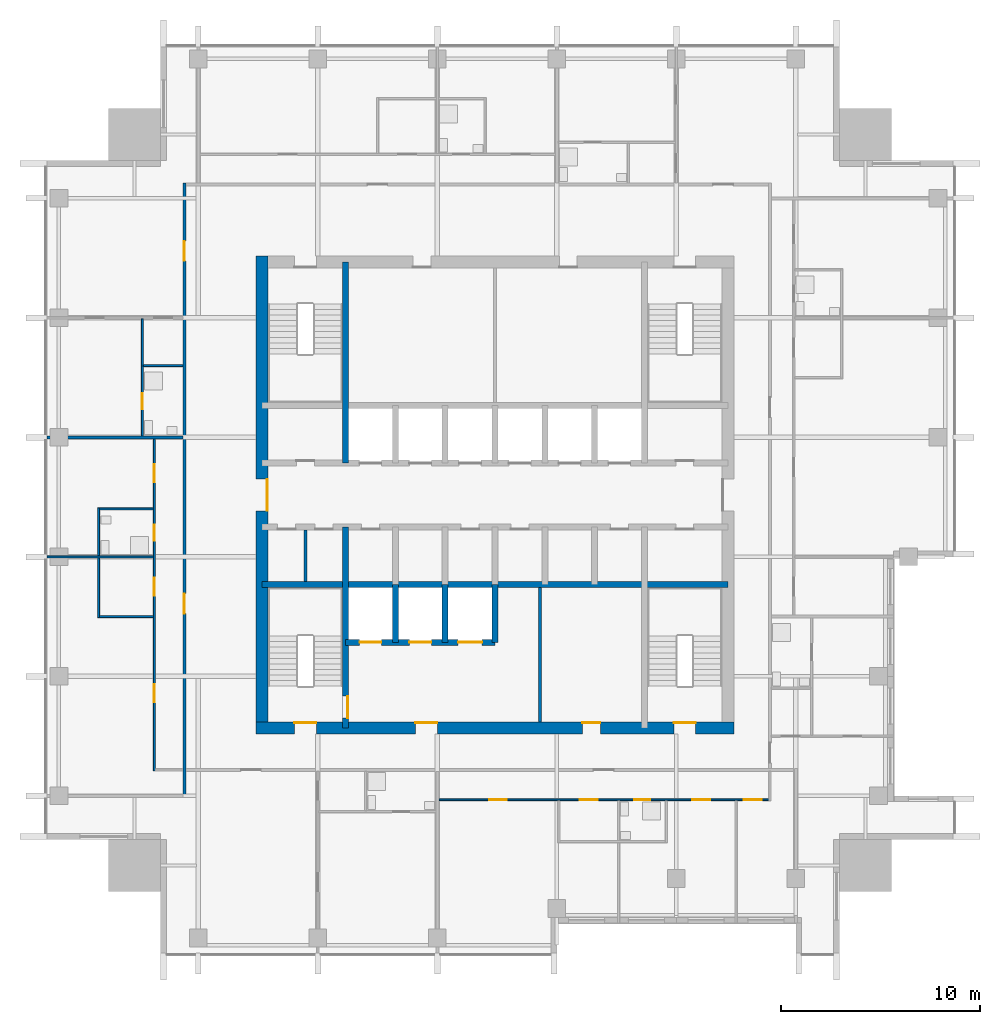
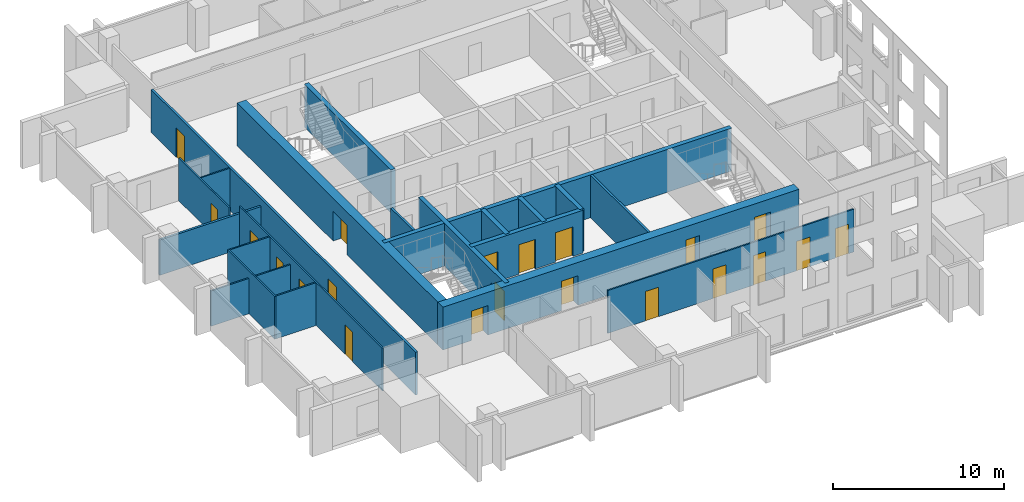
# One storey, part 4 of 10: 21 doors, 21 walls, 21 openings.
"""IFC4 building model written with IfcOpenShell, lengths in metres."""

from ifc_helpers import new_model, si_unit, direction, frame, frame_2d, origin, place, context, subcontext, project, spatial, rectangle, extrude, material, layer, layer_set, type_object, element, fill, save


model = new_model("IFC4")

# Units and contexts
model_context = context("Model", 3, precision=1e-05, world=origin(), true_north=direction((0.0, 1.0)))
body_context = subcontext(model_context, "Body", "Model", "MODEL_VIEW")
ifc_project = project(units=[si_unit("LENGTHUNIT", "METRE"), si_unit("AREAUNIT", "SQUARE_METRE"), si_unit("VOLUMEUNIT", "CUBIC_METRE"), si_unit("PLANEANGLEUNIT", "RADIAN"), si_unit("MASSUNIT", "GRAM", prefix="KILO")], contexts=[model_context])

# Site, building, storey
site_placement = place(None, origin())
site = spatial("IfcSite", under=ifc_project, at=site_placement, CompositionType="ELEMENT")
building_placement = place(site_placement, origin())
building = spatial("IfcBuilding", under=site, at=building_placement, Name="Amberfall Residences", CompositionType="ELEMENT")
storey_placement = place(building_placement, frame((0.0, 0.0, 206.800048828125)))
storey = spatial("IfcBuildingStorey", under=building, at=storey_placement, Name="L55", CompositionType="ELEMENT", Elevation=206.800048828125)

# Wall
ifc_material_1 = material(Name="Concrete C55", Category="concrete")
ifc_layer_1 = layer(ifc_material_1, 0.300048828125)
ifc_layer_set_1 = layer_set([ifc_layer_1], Name="Core wall 300 C55")
wall_type_1 = type_object("IfcWallType", Name="Core wall 300 C55", PredefinedType="SHEAR", material=ifc_layer_set_1)
wall_1_placement = place(storey_placement, frame((62.800048828125, 41.0, 0.0), z_axis=(0.0, 0.0, 1.0), x_axis=(1.0, 0.0, 0.0)))
element("IfcWall", 1, at=wall_1_placement, inside=storey, type_object=wall_type_1, Name="Core wall RW8 L55 H75", PredefinedType="SHEAR", context=body_context, shape_type="SweptSolid", body=[
    extrude(rectangle(XDim=23.39990234375, YDim=0.300048828125, at=frame_2d((11.699951171875, 0.0))), origin(), (0.0, 0.0, 1.0), 3.050048828125),
])

# Wall, opening, door
wall_2_placement = place(storey_placement, frame((67.0, 33.800048828125, 0.0), z_axis=(0.0, 0.0, 1.0), x_axis=(0.0, 1.0, 0.0)))
wall_2 = element("IfcWall", 2, at=wall_2_placement, inside=storey, type_object=wall_type_1, Name="Core wall RW8 L55 V45S", PredefinedType="SHEAR", context=body_context, shape_type="SweptSolid", body=[
    extrude(rectangle(XDim=10.099853515625, YDim=0.300048828125, at=frame_2d((5.0498046875, 0.0))), origin(), (0.0, 0.0, 1.0), 3.050048828125),
])
opening_1_placement = place(wall_2_placement, frame((0.5, 0.0, 0.0)))
opening_1 = element("IfcOpeningElement", 3, at=opening_1_placement, cuts=wall_2, Name="Opening FL1", PredefinedType="OPENING", context=body_context, shape_type="SweptSolid", body=[
    extrude(rectangle(XDim=1.10009765625, YDim=2.10009765625, at=frame_2d((0.550048828125, 1.050048828125))), frame((0.0, 0.159912109375, 0.0), z_axis=(0.0, -1.0, 0.0), x_axis=(1.0, 0.0, 0.0)), (0.0, 0.0, 1.0), 0.320068359375),
])
ifc_material_2 = material(Name="Steel fire door set", Category="steel")
door_type_1 = type_object("IfcDoorType", Name="Firefighting lobby door 1100 x 2100", OperationType="SINGLE_SWING_LEFT", PredefinedType="DOOR", material=ifc_material_2)
door_1_placement = place(opening_1_placement, origin())
door_1 = element("IfcDoor", 4, at=door_1_placement, inside=storey, type_object=door_type_1, Name="FL1 L55", OperationType="SINGLE_SWING_RIGHT", OverallHeight=2.10009765625, OverallWidth=1.10009765625, PredefinedType="DOOR", context=body_context, shape_type="SweptSolid", body=[
    extrude(rectangle(XDim=1.10009765625, YDim=2.10009765625, at=frame_2d((0.550048828125, 1.050048828125))), frame((0.0, -0.08740234375, 0.0), z_axis=(0.0, -1.0, 0.0), x_axis=(1.0, 0.0, 0.0)), (0.0, 0.0, 1.0), 0.050048828125),
])
fill(opening_1, door_1)

# Wall
wall_3_placement = place(storey_placement, frame((67.0, 47.10009765625, 0.0), z_axis=(0.0, 0.0, 1.0), x_axis=(0.0, 1.0, 0.0)))
element("IfcWall", 5, at=wall_3_placement, inside=storey, type_object=wall_type_1, Name="Core wall RW8 L55 V45N", PredefinedType="SHEAR", context=body_context, shape_type="SweptSolid", body=[
    extrude(rectangle(XDim=10.099853515625, YDim=0.300048828125, at=frame_2d((5.0498046875, 0.0))), origin(), (0.0, 0.0, 1.0), 3.050048828125),
])

# Wall, openings, doors
wall_4_placement = place(storey_placement, frame((67.0, 38.10009765625, 0.0), z_axis=(0.0, 0.0, 1.0), x_axis=(1.0, 0.0, 0.0)))
wall_4 = element("IfcWall", 6, at=wall_4_placement, inside=storey, type_object=wall_type_1, Name="Core wall RW8 L55 FFF", PredefinedType="SHEAR", context=body_context, shape_type="SweptSolid", body=[
    extrude(rectangle(XDim=7.5, YDim=0.300048828125, at=frame_2d((3.75, 0.0))), origin(), (0.0, 0.0, 1.0), 3.050048828125),
])
opening_2_placement = place(wall_4_placement, frame((0.699951171875, 0.0, 0.0)))
opening_2 = element("IfcOpeningElement", 7, at=opening_2_placement, cuts=wall_4, Name="Opening LD2", PredefinedType="OPENING", context=body_context, shape_type="SweptSolid", body=[
    extrude(rectangle(XDim=1.10009765625, YDim=2.10009765625, at=frame_2d((0.550048828125, 1.050048828125))), frame((0.0, 0.159912109375, 0.0), z_axis=(0.0, -1.0, 0.0), x_axis=(1.0, 0.0, 0.0)), (0.0, 0.0, 1.0), 0.320068359375),
])
opening_3_placement = place(wall_4_placement, frame((3.199951171875, 0.0, 0.0)))
opening_3 = element("IfcOpeningElement", 8, at=opening_3_placement, cuts=wall_4, Name="Opening LD2", PredefinedType="OPENING", context=body_context, shape_type="SweptSolid", body=[
    extrude(rectangle(XDim=1.10009765625, YDim=2.10009765625, at=frame_2d((0.550048828125, 1.050048828125))), frame((0.0, 0.159912109375, 0.0), z_axis=(0.0, -1.0, 0.0), x_axis=(1.0, 0.0, 0.0)), (0.0, 0.0, 1.0), 0.320068359375),
])
opening_4_placement = place(wall_4_placement, frame((5.64990234375, 0.0, 0.0)))
opening_4 = element("IfcOpeningElement", 9, at=opening_4_placement, cuts=wall_4, Name="Opening LD3", PredefinedType="OPENING", context=body_context, shape_type="SweptSolid", body=[
    extrude(rectangle(XDim=1.199951171875, YDim=2.10009765625, at=frame_2d((0.60009765625, 1.050048828125))), frame((0.0, 0.159912109375, 0.0), z_axis=(0.0, -1.0, 0.0), x_axis=(1.0, 0.0, 0.0)), (0.0, 0.0, 1.0), 0.320068359375),
])
door_type_2 = type_object("IfcDoorType", Name="Firefighting lift landing door 1100 x 2100", OperationType="DOUBLE_DOOR_SLIDING", PredefinedType="DOOR", material=ifc_material_2)
door_2_placement = place(opening_2_placement, origin())
door_2 = element("IfcDoor", 10, at=door_2_placement, inside=storey, type_object=door_type_2, Name="Landing door FF1 L55", OperationType="DOUBLE_DOOR_SLIDING", OverallHeight=2.10009765625, OverallWidth=1.10009765625, PredefinedType="DOOR", context=body_context, shape_type="SweptSolid", body=[
    extrude(rectangle(XDim=1.10009765625, YDim=2.10009765625, at=frame_2d((0.550048828125, 1.050048828125))), frame((0.0, 0.02490234375, 0.0), z_axis=(0.0, -1.0, 0.0), x_axis=(1.0, 0.0, 0.0)), (0.0, 0.0, 1.0), 0.050048828125),
])
fill(opening_2, door_2)
door_3_placement = place(opening_3_placement, origin())
door_3 = element("IfcDoor", 11, at=door_3_placement, inside=storey, type_object=door_type_2, Name="Landing door FF2 L55", OperationType="DOUBLE_DOOR_SLIDING", OverallHeight=2.10009765625, OverallWidth=1.10009765625, PredefinedType="DOOR", context=body_context, shape_type="SweptSolid", body=[
    extrude(rectangle(XDim=1.10009765625, YDim=2.10009765625, at=frame_2d((0.550048828125, 1.050048828125))), frame((0.0, 0.02490234375, 0.0), z_axis=(0.0, -1.0, 0.0), x_axis=(1.0, 0.0, 0.0)), (0.0, 0.0, 1.0), 0.050048828125),
])
fill(opening_3, door_3)
door_type_3 = type_object("IfcDoorType", Name="Service lift landing door 1200 x 2100", OperationType="DOUBLE_DOOR_SLIDING", PredefinedType="DOOR", material=ifc_material_2)
door_4_placement = place(opening_4_placement, origin())
door_4 = element("IfcDoor", 12, at=door_4_placement, inside=storey, type_object=door_type_3, Name="Landing door SL1 L55", OperationType="DOUBLE_DOOR_SLIDING", OverallHeight=2.10009765625, OverallWidth=1.199951171875, PredefinedType="DOOR", context=body_context, shape_type="SweptSolid", body=[
    extrude(rectangle(XDim=1.199951171875, YDim=2.10009765625, at=frame_2d((0.60009765625, 1.050048828125))), frame((0.0, 0.02490234375, 0.0), z_axis=(0.0, -1.0, 0.0), x_axis=(1.0, 0.0, 0.0)), (0.0, 0.0, 1.0), 0.050048828125),
])
fill(opening_4, door_4)

# Walls
for number, where, z_axis, x_axis, name in (
    (13, (69.5, 38.10009765625, 0.0), (0.0, 0.0, 1.0), (0.0, 1.0, 0.0), "Core wall RW8 L55 FFD1"),
    (14, (72.0, 38.10009765625, 0.0), (0.0, 0.0, 1.0), (0.0, 1.0, 0.0), "Core wall RW8 L55 FFD2"),
    (15, (74.5, 38.10009765625, 0.0), (0.0, 0.0, 1.0), (0.0, 1.0, 0.0), "Core wall RW8 L55 FFD3"),
):
    element("IfcWall", number, at=place(storey_placement, frame(where, z_axis=z_axis, x_axis=x_axis)), inside=storey, type_object=wall_type_1, Name=name, PredefinedType="SHEAR", context=body_context, shape_type="SweptSolid", body=[
        extrude(rectangle(XDim=2.89990234375, YDim=0.300048828125, at=frame_2d((1.449951171875, 0.0))), origin(), (0.0, 0.0, 1.0), 3.050048828125),
    ])

# Wall, openings, doors
ifc_layer_2 = layer(ifc_material_1, 0.60009765625)
ifc_layer_set_2 = layer_set([ifc_layer_2], Name="Core wall 600 C55")
wall_type_2 = type_object("IfcWallType", Name="Core wall 600 C55", PredefinedType="SHEAR", material=ifc_layer_set_2)
wall_5_placement = place(storey_placement, frame((62.5, 33.800048828125, 0.0), z_axis=(0.0, 0.0, 1.0), x_axis=(1.0, 0.0, 0.0)))
wall_5 = element("IfcWall", 16, at=wall_5_placement, inside=storey, type_object=wall_type_2, Name="Core wall RW7 L55 OS", PredefinedType="SHEAR", context=body_context, shape_type="SweptSolid", body=[
    extrude(rectangle(XDim=24.0, YDim=0.60009765625, at=frame_2d((12.0, 0.0))), origin(), (0.0, 0.0, 1.0), 3.050048828125),
])
opening_5_placement = place(wall_5_placement, frame((1.925048828125, 0.0, 0.0)))
opening_5 = element("IfcOpeningElement", 17, at=opening_5_placement, cuts=wall_5, Name="Opening SD1", PredefinedType="OPENING", context=body_context, shape_type="SweptSolid", body=[
    extrude(rectangle(XDim=1.10009765625, YDim=2.10009765625, at=frame_2d((0.550048828125, 1.050048828125))), frame((0.0, 0.31005859375, 0.0), z_axis=(0.0, -1.0, 0.0), x_axis=(1.0, 0.0, 0.0)), (0.0, 0.0, 1.0), 0.6201171875),
])
opening_6_placement = place(wall_5_placement, frame((20.97509765625, 0.0, 0.0)))
opening_6 = element("IfcOpeningElement", 18, at=opening_6_placement, cuts=wall_5, Name="Opening SD1", PredefinedType="OPENING", context=body_context, shape_type="SweptSolid", body=[
    extrude(rectangle(XDim=1.10009765625, YDim=2.10009765625, at=frame_2d((0.550048828125, 1.050048828125))), frame((0.0, 0.31005859375, 0.0), z_axis=(0.0, -1.0, 0.0), x_axis=(1.0, 0.0, 0.0)), (0.0, 0.0, 1.0), 0.6201171875),
])
opening_7_placement = place(wall_5_placement, frame((8.0, 0.0, 0.0)))
opening_7 = element("IfcOpeningElement", 19, at=opening_7_placement, cuts=wall_5, Name="Opening FL1", PredefinedType="OPENING", context=body_context, shape_type="SweptSolid", body=[
    extrude(rectangle(XDim=1.10009765625, YDim=2.10009765625, at=frame_2d((0.550048828125, 1.050048828125))), frame((0.0, 0.31005859375, 0.0), z_axis=(0.0, -1.0, 0.0), x_axis=(1.0, 0.0, 0.0)), (0.0, 0.0, 1.0), 0.6201171875),
])
opening_8_placement = place(wall_5_placement, frame((16.387451171875, 0.0, 0.0)))
opening_8 = element("IfcOpeningElement", 20, at=opening_8_placement, cuts=wall_5, Name="Opening RD1", PredefinedType="OPENING", context=body_context, shape_type="SweptSolid", body=[
    extrude(rectangle(XDim=0.89990234375, YDim=2.10009765625, at=frame_2d((0.449951171875, 1.050048828125))), frame((0.0, 0.31005859375, 0.0), z_axis=(0.0, -1.0, 0.0), x_axis=(1.0, 0.0, 0.0)), (0.0, 0.0, 1.0), 0.6201171875),
])
door_5_placement = place(opening_7_placement, origin())
door_5 = element("IfcDoor", 21, at=door_5_placement, inside=storey, type_object=door_type_1, Name="FL1 L55", OperationType="SINGLE_SWING_LEFT", OverallHeight=2.10009765625, OverallWidth=1.10009765625, PredefinedType="DOOR", context=body_context, shape_type="SweptSolid", body=[
    extrude(rectangle(XDim=1.10009765625, YDim=2.10009765625, at=frame_2d((0.550048828125, 1.050048828125))), frame((0.0, 0.28759765625, 0.0), z_axis=(0.0, -1.0, 0.0), x_axis=(1.0, 0.0, 0.0)), (0.0, 0.0, 1.0), 0.050048828125),
])
fill(opening_7, door_5)
door_type_4 = type_object("IfcDoorType", Name="Service room door 900 x 2100", OperationType="SINGLE_SWING_LEFT", PredefinedType="DOOR", material=ifc_material_2)
door_6_placement = place(opening_8_placement, origin())
door_6 = element("IfcDoor", 22, at=door_6_placement, inside=storey, type_object=door_type_4, Name="RD1 L55", OperationType="SINGLE_SWING_LEFT", OverallHeight=2.10009765625, OverallWidth=0.89990234375, PredefinedType="DOOR", context=body_context, shape_type="SweptSolid", body=[
    extrude(rectangle(XDim=0.89990234375, YDim=2.10009765625, at=frame_2d((0.449951171875, 1.050048828125))), frame((0.0, 0.28759765625, 0.0), z_axis=(0.0, -1.0, 0.0), x_axis=(1.0, 0.0, 0.0)), (0.0, 0.0, 1.0), 0.050048828125),
])
fill(opening_8, door_6)
door_type_5 = type_object("IfcDoorType", Name="Stair door 1100 x 2100", OperationType="SINGLE_SWING_LEFT", PredefinedType="DOOR", material=ifc_material_2)
door_7_placement = place(opening_5_placement, origin())
door_7 = element("IfcDoor", 23, at=door_7_placement, inside=storey, type_object=door_type_5, Name="SD1 L55", OperationType="SINGLE_SWING_LEFT", OverallHeight=2.10009765625, OverallWidth=1.10009765625, PredefinedType="DOOR", context=body_context, shape_type="SweptSolid", body=[
    extrude(rectangle(XDim=1.10009765625, YDim=2.10009765625, at=frame_2d((0.550048828125, 1.050048828125))), frame((0.0, 0.28759765625, 0.0), z_axis=(0.0, -1.0, 0.0), x_axis=(1.0, 0.0, 0.0)), (0.0, 0.0, 1.0), 0.050048828125),
])
fill(opening_5, door_7)
door_8_placement = place(opening_6_placement, origin())
door_8 = element("IfcDoor", 24, at=door_8_placement, inside=storey, type_object=door_type_5, Name="SD1 L55", OperationType="SINGLE_SWING_RIGHT", OverallHeight=2.10009765625, OverallWidth=1.10009765625, PredefinedType="DOOR", context=body_context, shape_type="SweptSolid", body=[
    extrude(rectangle(XDim=1.10009765625, YDim=2.10009765625, at=frame_2d((0.550048828125, 1.050048828125))), frame((0.0, 0.28759765625, 0.0), z_axis=(0.0, -1.0, 0.0), x_axis=(1.0, 0.0, 0.0)), (0.0, 0.0, 1.0), 0.050048828125),
])
fill(opening_6, door_8)

# Wall, opening, door
wall_6_placement = place(storey_placement, frame((62.800048828125, 33.5, 0.0), z_axis=(0.0, 0.0, 1.0), x_axis=(0.0, 1.0, 0.0)))
wall_6 = element("IfcWall", 25, at=wall_6_placement, inside=storey, type_object=wall_type_2, Name="Core wall RW7 L55 OW", PredefinedType="SHEAR", context=body_context, shape_type="SweptSolid", body=[
    extrude(rectangle(XDim=24.0, YDim=0.60009765625, at=frame_2d((12.0, 0.0))), origin(), (0.0, 0.0, 1.0), 3.050048828125),
])
opening_9_placement = place(wall_6_placement, frame((11.199951171875, 0.0, 0.0)))
opening_9 = element("IfcOpeningElement", 26, at=opening_9_placement, cuts=wall_6, Name="Opening LB1", PredefinedType="OPENING", context=body_context, shape_type="SweptSolid", body=[
    extrude(rectangle(XDim=1.60009765625, YDim=2.10009765625, at=frame_2d((0.800048828125, 1.050048828125))), frame((0.0, 0.31005859375, 0.0), z_axis=(0.0, -1.0, 0.0), x_axis=(1.0, 0.0, 0.0)), (0.0, 0.0, 1.0), 0.6201171875),
])
door_type_6 = type_object("IfcDoorType", Name="Lift lobby double door 1600 x 2100", OperationType="DOUBLE_DOOR_SINGLE_SWING", PredefinedType="DOOR", material=ifc_material_2)
door_9_placement = place(opening_9_placement, origin())
door_9 = element("IfcDoor", 27, at=door_9_placement, inside=storey, type_object=door_type_6, Name="LB1 L55", OperationType="DOUBLE_DOOR_SINGLE_SWING", OverallHeight=2.10009765625, OverallWidth=1.60009765625, PredefinedType="DOOR", context=body_context, shape_type="SweptSolid", body=[
    extrude(rectangle(XDim=1.60009765625, YDim=2.10009765625, at=frame_2d((0.800048828125, 1.050048828125))), frame((0.0, -0.2373046875, 0.0), z_axis=(0.0, -1.0, 0.0), x_axis=(1.0, 0.0, 0.0)), (0.0, 0.0, 1.0), 0.050048828125),
])
fill(opening_9, door_9)

# Wall
ifc_material_3 = material(Name="Gypsum board on metal stud")
ifc_layer_3 = layer(ifc_material_3, 0.10009765625)
ifc_layer_set_3 = layer_set([ifc_layer_3], Name="Flat partition 100")
wall_type_3 = type_object("IfcWallType", Name="Flat partition 100", PredefinedType="PARTITIONING", material=ifc_layer_set_3)
wall_7_placement = place(storey_placement, frame((54.60009765625, 39.35009765625, 0.0), z_axis=(0.0, 0.0, 1.0), x_axis=(0.0, 1.0, 0.0)))
element("IfcWall", 28, at=wall_7_placement, inside=storey, type_object=wall_type_3, Name="Partition 001", PredefinedType="PARTITIONING", context=body_context, shape_type="SweptSolid", body=[
    extrude(rectangle(XDim=5.5, YDim=0.10009765625, at=frame_2d((2.75, 0.0))), origin(), (0.0, 0.0, 1.0), 3.050048828125),
])

# Wall, opening, door
wall_8_placement = place(storey_placement, frame((56.800048828125, 54.35009765625, 0.0), z_axis=(0.0, 0.0, 1.0), x_axis=(0.0, -1.0, 0.0)))
wall_8 = element("IfcWall", 29, at=wall_8_placement, inside=storey, type_object=wall_type_3, Name="Partition 002", PredefinedType="PARTITIONING", context=body_context, shape_type="SweptSolid", body=[
    extrude(rectangle(XDim=5.875, YDim=0.10009765625, at=frame_2d((2.9375, 0.0))), origin(), (0.0, 0.0, 1.0), 3.050048828125),
])
opening_10_placement = place(wall_8_placement, frame((3.75, 0.0, 0.0)))
opening_10 = element("IfcOpeningElement", 30, at=opening_10_placement, cuts=wall_8, Name="Opening D42", PredefinedType="OPENING", context=body_context, shape_type="SweptSolid", body=[
    extrude(rectangle(XDim=0.800048828125, YDim=2.10009765625, at=frame_2d((0.39990234375, 1.050048828125))), frame((0.0, 0.06005859375, 0.0), z_axis=(0.0, -1.0, 0.0), x_axis=(1.0, 0.0, 0.0)), (0.0, 0.0, 1.0), 0.1201171875),
])
ifc_material_4 = material(Name="Timber", Category="wood")
door_type_7 = type_object("IfcDoorType", Name="Bathroom door 800 x 2100", OperationType="SINGLE_SWING_LEFT", PredefinedType="DOOR", material=ifc_material_4)
door_10_placement = place(opening_10_placement, origin())
door_10 = element("IfcDoor", 31, at=door_10_placement, inside=storey, type_object=door_type_7, Name="Door 5508 bath1", OperationType="SINGLE_SWING_LEFT", OverallHeight=2.10009765625, OverallWidth=0.800048828125, PredefinedType="DOOR", context=body_context, shape_type="SweptSolid", body=[
    extrude(rectangle(XDim=0.800048828125, YDim=2.10009765625, at=frame_2d((0.39990234375, 1.050048828125))), frame((0.0, 0.02490234375, 0.0), z_axis=(0.0, -1.0, 0.0), x_axis=(1.0, 0.0, 0.0)), (0.0, 0.0, 1.0), 0.050048828125),
])
fill(opening_10, door_10)

# Wall, openings, doors
wall_9_placement = place(storey_placement, frame((57.39990234375, 31.64990234375, 0.0), z_axis=(0.0, 0.0, 1.0), x_axis=(0.0, 1.0, 0.0)))
wall_9 = element("IfcWall", 32, at=wall_9_placement, inside=storey, type_object=wall_type_3, Name="Partition 003", PredefinedType="PARTITIONING", context=body_context, shape_type="SweptSolid", body=[
    extrude(rectangle(XDim=16.675048828125, YDim=0.10009765625, at=frame_2d((8.33740234375, 0.0))), origin(), (0.0, 0.0, 1.0), 3.050048828125),
])
opening_11_placement = place(wall_9_placement, frame((3.449951171875, 0.0, 0.0)))
opening_11 = element("IfcOpeningElement", 33, at=opening_11_placement, cuts=wall_9, Name="Opening D41", PredefinedType="OPENING", context=body_context, shape_type="SweptSolid", body=[
    extrude(rectangle(XDim=0.89990234375, YDim=2.10009765625, at=frame_2d((0.449951171875, 1.050048828125))), frame((0.0, 0.06005859375, 0.0), z_axis=(0.0, -1.0, 0.0), x_axis=(1.0, 0.0, 0.0)), (0.0, 0.0, 1.0), 0.1201171875),
])
opening_12_placement = place(wall_9_placement, frame((8.800048828125, 0.0, 0.0)))
opening_12 = element("IfcOpeningElement", 34, at=opening_12_placement, cuts=wall_9, Name="Opening D41", PredefinedType="OPENING", context=body_context, shape_type="SweptSolid", body=[
    extrude(rectangle(XDim=0.89990234375, YDim=2.10009765625, at=frame_2d((0.449951171875, 1.050048828125))), frame((0.0, 0.06005859375, 0.0), z_axis=(0.0, -1.0, 0.0), x_axis=(1.0, 0.0, 0.0)), (0.0, 0.0, 1.0), 0.1201171875),
])
opening_13_placement = place(wall_9_placement, frame((14.5, 0.0, 0.0)))
opening_13 = element("IfcOpeningElement", 35, at=opening_13_placement, cuts=wall_9, Name="Opening D41", PredefinedType="OPENING", context=body_context, shape_type="SweptSolid", body=[
    extrude(rectangle(XDim=0.89990234375, YDim=2.10009765625, at=frame_2d((0.449951171875, 1.050048828125))), frame((0.0, 0.06005859375, 0.0), z_axis=(0.0, -1.0, 0.0), x_axis=(1.0, 0.0, 0.0)), (0.0, 0.0, 1.0), 0.1201171875),
])
opening_14_placement = place(wall_9_placement, frame((11.550048828125, 0.0, 0.0)))
opening_14 = element("IfcOpeningElement", 36, at=opening_14_placement, cuts=wall_9, Name="Opening D42", PredefinedType="OPENING", context=body_context, shape_type="SweptSolid", body=[
    extrude(rectangle(XDim=0.800048828125, YDim=2.10009765625, at=frame_2d((0.39990234375, 1.050048828125))), frame((0.0, 0.06005859375, 0.0), z_axis=(0.0, -1.0, 0.0), x_axis=(1.0, 0.0, 0.0)), (0.0, 0.0, 1.0), 0.1201171875),
])
door_11_placement = place(opening_14_placement, origin())
door_11 = element("IfcDoor", 37, at=door_11_placement, inside=storey, type_object=door_type_7, Name="Door 5507 bath1", OperationType="SINGLE_SWING_LEFT", OverallHeight=2.10009765625, OverallWidth=0.800048828125, PredefinedType="DOOR", context=body_context, shape_type="SweptSolid", body=[
    extrude(rectangle(XDim=0.800048828125, YDim=2.10009765625, at=frame_2d((0.39990234375, 1.050048828125))), frame((0.0, 0.02490234375, 0.0), z_axis=(0.0, -1.0, 0.0), x_axis=(1.0, 0.0, 0.0)), (0.0, 0.0, 1.0), 0.050048828125),
])
fill(opening_14, door_11)
door_type_8 = type_object("IfcDoorType", Name="Internal door 900 x 2100", OperationType="SINGLE_SWING_LEFT", PredefinedType="DOOR", material=ifc_material_4)
door_12_placement = place(opening_11_placement, origin())
door_12 = element("IfcDoor", 38, at=door_12_placement, inside=storey, type_object=door_type_8, Name="Door 5507 living", OperationType="SINGLE_SWING_LEFT", OverallHeight=2.10009765625, OverallWidth=0.89990234375, PredefinedType="DOOR", context=body_context, shape_type="SweptSolid", body=[
    extrude(rectangle(XDim=0.89990234375, YDim=2.10009765625, at=frame_2d((0.449951171875, 1.050048828125))), frame((0.0, 0.02490234375, 0.0), z_axis=(0.0, -1.0, 0.0), x_axis=(1.0, 0.0, 0.0)), (0.0, 0.0, 1.0), 0.050048828125),
])
fill(opening_11, door_12)
door_13_placement = place(opening_12_placement, origin())
door_13 = element("IfcDoor", 39, at=door_13_placement, inside=storey, type_object=door_type_8, Name="Door 5507 kitchen", OperationType="SINGLE_SWING_LEFT", OverallHeight=2.10009765625, OverallWidth=0.89990234375, PredefinedType="DOOR", context=body_context, shape_type="SweptSolid", body=[
    extrude(rectangle(XDim=0.89990234375, YDim=2.10009765625, at=frame_2d((0.449951171875, 1.050048828125))), frame((0.0, 0.02490234375, 0.0), z_axis=(0.0, -1.0, 0.0), x_axis=(1.0, 0.0, 0.0)), (0.0, 0.0, 1.0), 0.050048828125),
])
fill(opening_12, door_13)
door_14_placement = place(opening_13_placement, origin())
door_14 = element("IfcDoor", 40, at=door_14_placement, inside=storey, type_object=door_type_8, Name="Door 5507 bedroom1", OperationType="SINGLE_SWING_LEFT", OverallHeight=2.10009765625, OverallWidth=0.89990234375, PredefinedType="DOOR", context=body_context, shape_type="SweptSolid", body=[
    extrude(rectangle(XDim=0.89990234375, YDim=2.10009765625, at=frame_2d((0.449951171875, 1.050048828125))), frame((0.0, 0.02490234375, 0.0), z_axis=(0.0, -1.0, 0.0), x_axis=(1.0, 0.0, 0.0)), (0.0, 0.0, 1.0), 0.050048828125),
])
fill(opening_13, door_14)

# Walls
wall_10_placement = place(storey_placement, frame((56.85009765625, 52.0, 0.0), z_axis=(0.0, 0.0, 1.0), x_axis=(1.0, 0.0, 0.0)))
element("IfcWall", 41, at=wall_10_placement, inside=storey, type_object=wall_type_3, Name="Partition 025", PredefinedType="PARTITIONING", context=body_context, shape_type="SweptSolid", body=[
    extrude(rectangle(XDim=1.974853515625, YDim=0.10009765625, at=frame_2d((0.9873046875, 0.0))), origin(), (0.0, 0.0, 1.0), 3.050048828125),
])
wall_11_placement = place(storey_placement, frame((54.64990234375, 44.800048828125, 0.0), z_axis=(0.0, 0.0, 1.0), x_axis=(1.0, 0.0, 0.0)))
element("IfcWall", 42, at=wall_11_placement, inside=storey, type_object=wall_type_3, Name="Partition 027", PredefinedType="PARTITIONING", context=body_context, shape_type="SweptSolid", body=[
    extrude(rectangle(XDim=2.7001953125, YDim=0.10009765625, at=frame_2d((1.35009765625, 0.0))), origin(), (0.0, 0.0, 1.0), 3.050048828125),
])
wall_12_placement = place(storey_placement, frame((52.0, 42.39990234375, 0.0), z_axis=(0.0, 0.0, 1.0), x_axis=(1.0, 0.0, 0.0)))
element("IfcWall", 43, at=wall_12_placement, inside=storey, type_object=wall_type_3, Name="Partition 028", PredefinedType="PARTITIONING", context=body_context, shape_type="SweptSolid", body=[
    extrude(rectangle(XDim=5.35009765625, YDim=0.10009765625, at=frame_2d((2.675048828125, 0.0))), origin(), (0.0, 0.0, 1.0), 2.515869140625),
])
wall_13_placement = place(storey_placement, frame((54.64990234375, 39.39990234375, 0.0), z_axis=(0.0, 0.0, 1.0), x_axis=(1.0, 0.0, 0.0)))
element("IfcWall", 44, at=wall_13_placement, inside=storey, type_object=wall_type_3, Name="Partition 030", PredefinedType="PARTITIONING", context=body_context, shape_type="SweptSolid", body=[
    extrude(rectangle(XDim=2.7001953125, YDim=0.10009765625, at=frame_2d((1.35009765625, 0.0))), origin(), (0.0, 0.0, 1.0), 3.050048828125),
])

# Wall, openings, doors
wall_14_placement = place(storey_placement, frame((88.25, 30.199951171875, 0.0), z_axis=(0.0, 0.0, 1.0), x_axis=(-1.0, 0.0, 0.0)))
wall_14 = element("IfcWall", 45, at=wall_14_placement, inside=storey, type_object=wall_type_3, Name="Partition 034", PredefinedType="PARTITIONING", context=body_context, shape_type="SweptSolid", body=[
    extrude(rectangle(XDim=16.574951171875, YDim=0.10009765625, at=frame_2d((8.28759765625, 0.0))), origin(), (0.0, 0.0, 1.0), 3.050048828125),
])
opening_15_placement = place(wall_14_placement, frame((13.14990234375, 0.0, 0.0)))
opening_15 = element("IfcOpeningElement", 46, at=opening_15_placement, cuts=wall_14, Name="Opening D41", PredefinedType="OPENING", context=body_context, shape_type="SweptSolid", body=[
    extrude(rectangle(XDim=0.89990234375, YDim=2.10009765625, at=frame_2d((0.449951171875, 1.050048828125))), frame((0.0, 0.06005859375, 0.0), z_axis=(0.0, -1.0, 0.0), x_axis=(1.0, 0.0, 0.0)), (0.0, 0.0, 1.0), 0.1201171875),
])
opening_16_placement = place(wall_14_placement, frame((8.60009765625, 0.0, 0.0)))
opening_16 = element("IfcOpeningElement", 47, at=opening_16_placement, cuts=wall_14, Name="Opening D41", PredefinedType="OPENING", context=body_context, shape_type="SweptSolid", body=[
    extrude(rectangle(XDim=0.89990234375, YDim=2.10009765625, at=frame_2d((0.449951171875, 1.050048828125))), frame((0.0, 0.06005859375, 0.0), z_axis=(0.0, -1.0, 0.0), x_axis=(1.0, 0.0, 0.0)), (0.0, 0.0, 1.0), 0.1201171875),
])
opening_17_placement = place(wall_14_placement, frame((2.949951171875, 0.0, 0.0)))
opening_17 = element("IfcOpeningElement", 48, at=opening_17_placement, cuts=wall_14, Name="Opening D41", PredefinedType="OPENING", context=body_context, shape_type="SweptSolid", body=[
    extrude(rectangle(XDim=0.89990234375, YDim=2.10009765625, at=frame_2d((0.449951171875, 1.050048828125))), frame((0.0, 0.06005859375, 0.0), z_axis=(0.0, -1.0, 0.0), x_axis=(1.0, 0.0, 0.0)), (0.0, 0.0, 1.0), 0.1201171875),
])
opening_18_placement = place(wall_14_placement, frame((0.35009765625, 0.0, 0.0)))
opening_18 = element("IfcOpeningElement", 49, at=opening_18_placement, cuts=wall_14, Name="Opening D41", PredefinedType="OPENING", context=body_context, shape_type="SweptSolid", body=[
    extrude(rectangle(XDim=0.89990234375, YDim=2.10009765625, at=frame_2d((0.449951171875, 1.050048828125))), frame((0.0, 0.06005859375, 0.0), z_axis=(0.0, -1.0, 0.0), x_axis=(1.0, 0.0, 0.0)), (0.0, 0.0, 1.0), 0.1201171875),
])
opening_19_placement = place(wall_14_placement, frame((5.949951171875, 0.0, 0.0)))
opening_19 = element("IfcOpeningElement", 50, at=opening_19_placement, cuts=wall_14, Name="Opening D42", PredefinedType="OPENING", context=body_context, shape_type="SweptSolid", body=[
    extrude(rectangle(XDim=0.800048828125, YDim=2.10009765625, at=frame_2d((0.39990234375, 1.050048828125))), frame((0.0, 0.06005859375, 0.0), z_axis=(0.0, -1.0, 0.0), x_axis=(1.0, 0.0, 0.0)), (0.0, 0.0, 1.0), 0.1201171875),
])
door_15_placement = place(opening_19_placement, origin())
door_15 = element("IfcDoor", 51, at=door_15_placement, inside=storey, type_object=door_type_7, Name="Door 5502 bath1", OperationType="SINGLE_SWING_LEFT", OverallHeight=2.10009765625, OverallWidth=0.800048828125, PredefinedType="DOOR", context=body_context, shape_type="SweptSolid", body=[
    extrude(rectangle(XDim=0.800048828125, YDim=2.10009765625, at=frame_2d((0.39990234375, 1.050048828125))), frame((0.0, 0.02490234375, 0.0), z_axis=(0.0, -1.0, 0.0), x_axis=(1.0, 0.0, 0.0)), (0.0, 0.0, 1.0), 0.050048828125),
])
fill(opening_19, door_15)
door_16_placement = place(opening_15_placement, origin())
door_16 = element("IfcDoor", 52, at=door_16_placement, inside=storey, type_object=door_type_8, Name="Door 5502 living", OperationType="SINGLE_SWING_LEFT", OverallHeight=2.10009765625, OverallWidth=0.89990234375, PredefinedType="DOOR", context=body_context, shape_type="SweptSolid", body=[
    extrude(rectangle(XDim=0.89990234375, YDim=2.10009765625, at=frame_2d((0.449951171875, 1.050048828125))), frame((0.0, 0.02490234375, 0.0), z_axis=(0.0, -1.0, 0.0), x_axis=(1.0, 0.0, 0.0)), (0.0, 0.0, 1.0), 0.050048828125),
])
fill(opening_15, door_16)
door_17_placement = place(opening_16_placement, origin())
door_17 = element("IfcDoor", 53, at=door_17_placement, inside=storey, type_object=door_type_8, Name="Door 5502 kitchen", OperationType="SINGLE_SWING_LEFT", OverallHeight=2.10009765625, OverallWidth=0.89990234375, PredefinedType="DOOR", context=body_context, shape_type="SweptSolid", body=[
    extrude(rectangle(XDim=0.89990234375, YDim=2.10009765625, at=frame_2d((0.449951171875, 1.050048828125))), frame((0.0, 0.02490234375, 0.0), z_axis=(0.0, -1.0, 0.0), x_axis=(1.0, 0.0, 0.0)), (0.0, 0.0, 1.0), 0.050048828125),
])
fill(opening_16, door_17)
door_18_placement = place(opening_17_placement, origin())
door_18 = element("IfcDoor", 54, at=door_18_placement, inside=storey, type_object=door_type_8, Name="Door 5502 bedroom1", OperationType="SINGLE_SWING_LEFT", OverallHeight=2.10009765625, OverallWidth=0.89990234375, PredefinedType="DOOR", context=body_context, shape_type="SweptSolid", body=[
    extrude(rectangle(XDim=0.89990234375, YDim=2.10009765625, at=frame_2d((0.449951171875, 1.050048828125))), frame((0.0, 0.02490234375, 0.0), z_axis=(0.0, -1.0, 0.0), x_axis=(1.0, 0.0, 0.0)), (0.0, 0.0, 1.0), 0.050048828125),
])
fill(opening_17, door_18)
door_19_placement = place(opening_18_placement, origin())
door_19 = element("IfcDoor", 55, at=door_19_placement, inside=storey, type_object=door_type_8, Name="Door 5502 bedroom2", OperationType="SINGLE_SWING_LEFT", OverallHeight=2.10009765625, OverallWidth=0.89990234375, PredefinedType="DOOR", context=body_context, shape_type="SweptSolid", body=[
    extrude(rectangle(XDim=0.89990234375, YDim=2.10009765625, at=frame_2d((0.449951171875, 1.050048828125))), frame((0.0, 0.02490234375, 0.0), z_axis=(0.0, -1.0, 0.0), x_axis=(1.0, 0.0, 0.0)), (0.0, 0.0, 1.0), 0.050048828125),
])
fill(opening_18, door_19)

ifc_material_5 = material(Name="Blockwork, plastered", Category="masonry")
ifc_layer_4 = layer(ifc_material_5, 0.14990234375)
ifc_layer_set_4 = layer_set([ifc_layer_4], Name="Flat separating wall 150")
wall_type_4 = type_object("IfcWallType", Name="Flat separating wall 150", PredefinedType="PARTITIONING", material=ifc_layer_set_4)
wall_15_placement = place(storey_placement, frame((58.89990234375, 30.324951171875, 0.0), z_axis=(0.0, 0.0, 1.0), x_axis=(0.0, 1.0, 0.0)))
wall_15 = element("IfcWall", 56, at=wall_15_placement, inside=storey, type_object=wall_type_4, Name="Separating wall 037", PredefinedType="PARTITIONING", context=body_context, shape_type="SweptSolid", body=[
    extrude(rectangle(XDim=30.85009765625, YDim=0.14990234375, at=frame_2d((15.425048828125, 0.0))), origin(), (0.0, 0.0, 1.0), 3.050048828125),
])
opening_20_placement = place(wall_15_placement, frame((9.22509765625, 0.0, 0.0)))
opening_20 = element("IfcOpeningElement", 57, at=opening_20_placement, cuts=wall_15, Name="Opening D40", PredefinedType="OPENING", context=body_context, shape_type="SweptSolid", body=[
    extrude(rectangle(XDim=1.0, YDim=2.10009765625, at=frame_2d((0.5, 1.050048828125))), frame((0.0, 0.0849609375, 0.0), z_axis=(0.0, -1.0, 0.0), x_axis=(1.0, 0.0, 0.0)), (0.0, 0.0, 1.0), 0.169921875),
])
opening_21_placement = place(wall_15_placement, frame((26.925048828125, 0.0, 0.0)))
opening_21 = element("IfcOpeningElement", 58, at=opening_21_placement, cuts=wall_15, Name="Opening D40", PredefinedType="OPENING", context=body_context, shape_type="SweptSolid", body=[
    extrude(rectangle(XDim=1.0, YDim=2.10009765625, at=frame_2d((0.5, 1.050048828125))), frame((0.0, 0.0849609375, 0.0), z_axis=(0.0, -1.0, 0.0), x_axis=(1.0, 0.0, 0.0)), (0.0, 0.0, 1.0), 0.169921875),
])
ifc_material_6 = material(Name="Timber, fire-rated", Category="wood")
door_type_9 = type_object("IfcDoorType", Name="Flat entrance door FD60 1000 x 2100", OperationType="SINGLE_SWING_LEFT", PredefinedType="DOOR", material=ifc_material_6)
door_20_placement = place(opening_20_placement, origin())
door_20 = element("IfcDoor", 59, at=door_20_placement, inside=storey, type_object=door_type_9, Name="Door 5507 entrance", OperationType="SINGLE_SWING_LEFT", OverallHeight=2.10009765625, OverallWidth=1.0, PredefinedType="DOOR", context=body_context, shape_type="SweptSolid", body=[
    extrude(rectangle(XDim=1.0, YDim=2.10009765625, at=frame_2d((0.5, 1.050048828125))), frame((0.0, 0.02490234375, 0.0), z_axis=(0.0, -1.0, 0.0), x_axis=(1.0, 0.0, 0.0)), (0.0, 0.0, 1.0), 0.050048828125),
])
fill(opening_20, door_20)
door_21_placement = place(opening_21_placement, origin())
door_21 = element("IfcDoor", 60, at=door_21_placement, inside=storey, type_object=door_type_9, Name="Door 5508 entrance", OperationType="SINGLE_SWING_LEFT", OverallHeight=2.10009765625, OverallWidth=1.0, PredefinedType="DOOR", context=body_context, shape_type="SweptSolid", body=[
    extrude(rectangle(XDim=1.0, YDim=2.10009765625, at=frame_2d((0.5, 1.050048828125))), frame((0.0, 0.02490234375, 0.0), z_axis=(0.0, -1.0, 0.0), x_axis=(1.0, 0.0, 0.0)), (0.0, 0.0, 1.0), 0.050048828125),
])
fill(opening_21, door_21)

# Walls
wall_16_placement = place(storey_placement, frame((52.0, 48.39990234375, 0.0), z_axis=(0.0, 0.0, 1.0), x_axis=(1.0, 0.0, 0.0)))
element("IfcWall", 61, at=wall_16_placement, inside=storey, type_object=wall_type_4, Name="Separating wall 045", PredefinedType="PARTITIONING", context=body_context, shape_type="SweptSolid", body=[
    extrude(rectangle(XDim=6.824951171875, YDim=0.14990234375, at=frame_2d((3.41259765625, 0.0))), origin(), (0.0, 0.0, 1.0), 2.515869140625),
])
ifc_material_7 = material(Name="Concrete blockwork", Category="masonry")
ifc_layer_5 = layer(ifc_material_7, 0.14990234375)
ifc_layer_set_5 = layer_set([ifc_layer_5], Name="Riser wall 150")
wall_type_5 = type_object("IfcWallType", Name="Riser wall 150", PredefinedType="PLUMBINGWALL", material=ifc_layer_set_5)
wall_17_placement = place(storey_placement, frame((76.75, 34.10009765625, 0.0), z_axis=(0.0, 0.0, 1.0), x_axis=(0.0, 1.0, 0.0)))
element("IfcWall", 62, at=wall_17_placement, inside=storey, type_object=wall_type_5, Name="L55 core wall PX", PredefinedType="PLUMBINGWALL", context=body_context, shape_type="SweptSolid", body=[
    extrude(rectangle(XDim=6.75, YDim=0.14990234375, at=frame_2d((3.375, 0.0))), origin(), (0.0, 0.0, 1.0), 3.050048828125),
])
wall_18_placement = place(storey_placement, frame((64.97509765625, 41.14990234375, 0.0), z_axis=(0.0, 0.0, 1.0), x_axis=(0.0, 1.0, 0.0)))
element("IfcWall", 63, at=wall_18_placement, inside=storey, type_object=wall_type_5, Name="L55 core wall ASW0", PredefinedType="PLUMBINGWALL", context=body_context, shape_type="SweptSolid", body=[
    extrude(rectangle(XDim=2.60009765625, YDim=0.14990234375, at=frame_2d((1.300048828125, 0.0))), origin(), (0.0, 0.0, 1.0), 3.050048828125),
])

save(model, "model.ifc")
